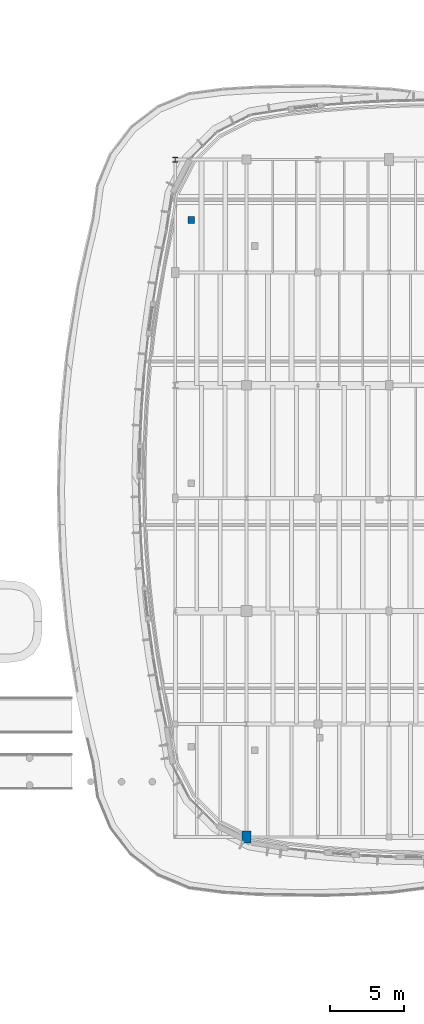
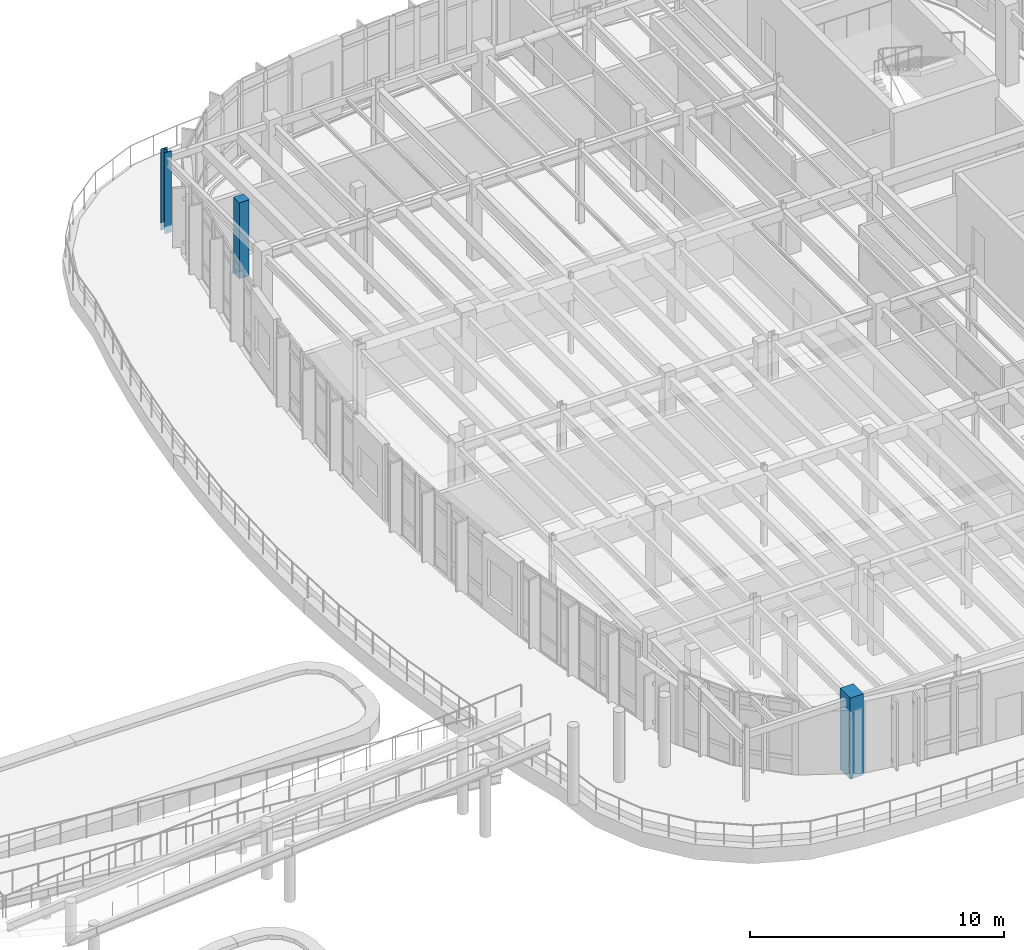
# One storey, part 10 of 111: 3 columns.
"""IFC4 building model written with IfcOpenShell, lengths in metres."""

from ifc_helpers import new_model, si_unit, direction, frame, origin, origin_2d, place, context, subcontext, project, spatial, rectangle, i_section, extrude, material, material_profile, profile_set, type_object, element, save


model = new_model("IFC4")

# Units and contexts
model_context = context("Model", 3, precision=1e-05, world=origin(), true_north=direction((0.0, 1.0)))
body_context = subcontext(model_context, "Body", "Model", "MODEL_VIEW")
ifc_project = project(units=[si_unit("LENGTHUNIT", "METRE"), si_unit("AREAUNIT", "SQUARE_METRE"), si_unit("VOLUMEUNIT", "CUBIC_METRE"), si_unit("PLANEANGLEUNIT", "RADIAN"), si_unit("MASSUNIT", "GRAM", prefix="KILO")], contexts=[model_context])

# Site, building, storey
site_placement = place(None, origin())
site = spatial("IfcSite", under=ifc_project, at=site_placement, CompositionType="ELEMENT")
building_placement = place(site_placement, origin())
building = spatial("IfcBuilding", under=site, at=building_placement, Name="Corveleigh Park Community Centre", CompositionType="ELEMENT")
storey_placement = place(building_placement, frame((0.0, 0.0, 4.800048828125)))
storey = spatial("IfcBuildingStorey", under=building, at=storey_placement, Name="L01", CompositionType="ELEMENT", Elevation=4.800048828125)

# Columns
ifc_material_1 = material(Name="Concrete C40/50", Category="concrete")
ifc_material_profile_1 = material_profile(ifc_material_1, rectangle(XDim=0.449951171875, YDim=0.449951171875, at=origin_2d()), Name="RC-450x450", Category="concrete")
ifc_profile_set_1 = profile_set([ifc_material_profile_1], Name="Concrete C40/50")
column_type_1 = type_object("IfcColumnType", Name="COL-RC-450x450", PredefinedType="COLUMN", material=ifc_profile_set_1)
column_1_placement = place(storey_placement, frame((135.674072265625, 100.135986328125, 0.0), z_axis=(0.0, 0.0, 1.0), x_axis=(1.0, 0.0, 0.0)))
element("IfcColumn", 1, at=column_1_placement, inside=storey, type_object=column_type_1, Name="External deck support pier 133 L01", PredefinedType="COLUMN", context=body_context, shape_type="SweptSolid", body=[
    extrude(rectangle(XDim=0.449951171875, YDim=0.449951171875, at=origin_2d()), origin(), (0.0, 0.0, 1.0), 3.65283203125),
])
ifc_material_profile_2 = material_profile(ifc_material_1, rectangle(XDim=0.60009765625, YDim=0.800048828125, at=origin_2d()), Name="RC-600x800", Category="concrete")
ifc_profile_set_2 = profile_set([ifc_material_profile_2], Name="Concrete C40/50")
column_type_2 = type_object("IfcColumnType", Name="COL-RC-600x800", PredefinedType="COLUMN", material=ifc_profile_set_2)
column_2_placement = place(storey_placement, frame((139.39990234375, 58.60009765625, 0.0), z_axis=(0.0, 0.0, 1.0), x_axis=(1.0, 0.0, 0.0)))
element("IfcColumn", 2, at=column_2_placement, inside=storey, type_object=column_type_2, Name="Column V4-X2Y0 L01", PredefinedType="COLUMN", context=body_context, shape_type="SweptSolid", body=[
    extrude(rectangle(XDim=0.60009765625, YDim=0.800048828125, at=origin_2d()), origin(), (0.0, 0.0, 1.0), 3.89990234375),
])
ifc_material_2 = material(Name="Steel S355", Category="steel")
ifc_material_profile_3 = material_profile(ifc_material_2, i_section(OverallWidth=0.311279296875, OverallDepth=0.3271484375, WebThickness=0.015869140625, FlangeThickness=0.02490234375, at=origin_2d()), Name="UKC 305x305x158", Category="steel")
ifc_profile_set_3 = profile_set([ifc_material_profile_3], Name="Steel S355")
column_type_3 = type_object("IfcColumnType", Name="COL-STL-UKC305x158", PredefinedType="COLUMN", material=ifc_profile_set_3)
column_3_placement = place(storey_placement, frame((134.60009765625, 104.199951171875, 0.0), z_axis=(0.0, 0.0, 1.0), x_axis=(1.0, 0.0, 0.0)))
element("IfcColumn", 3, at=column_3_placement, inside=storey, type_object=column_type_3, Name="Column V4-X1Y6 L01", PredefinedType="COLUMN", context=body_context, shape_type="SweptSolid", body=[
    extrude(i_section(OverallWidth=0.311279296875, OverallDepth=0.3271484375, WebThickness=0.015869140625, FlangeThickness=0.02490234375, at=origin_2d()), origin(), (0.0, 0.0, 1.0), 3.89990234375),
])

save(model, "model.ifc")
